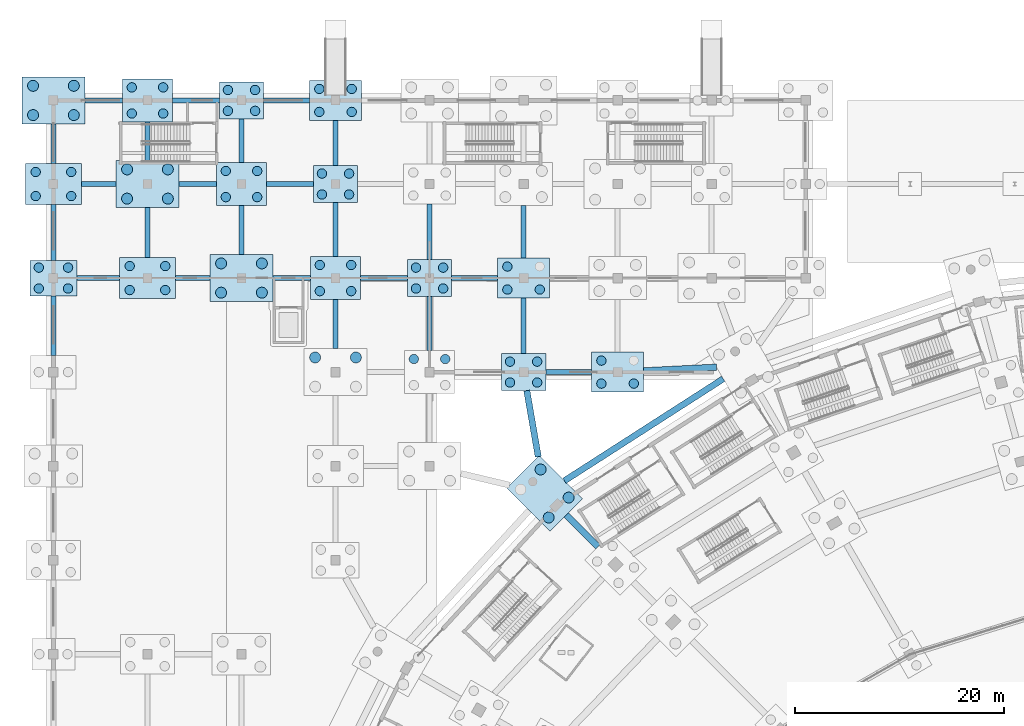
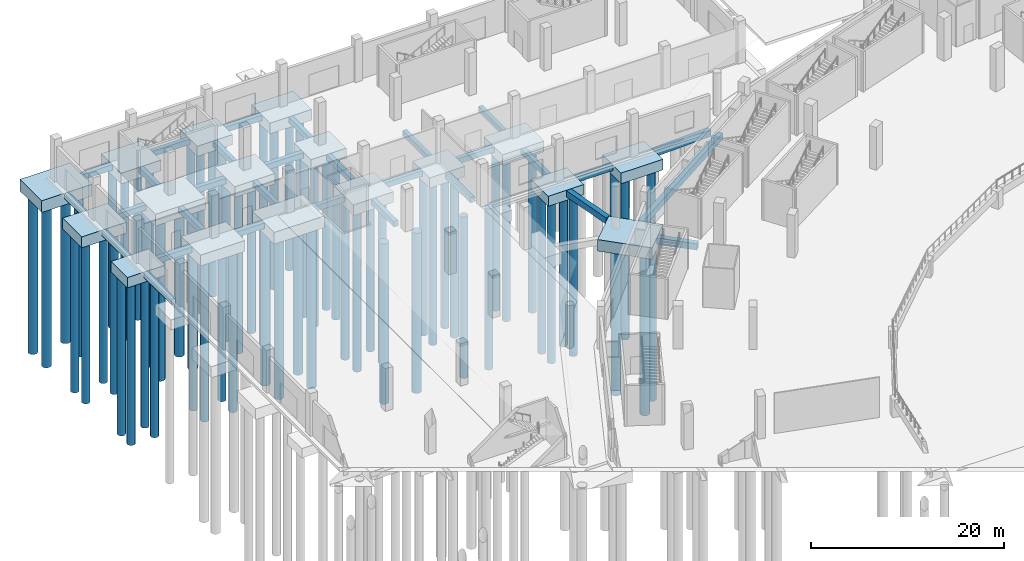
# One storey, part 10 of 103: 69 piles, 47 footings.
"""IFC4 building model written with IfcOpenShell, lengths in metres."""

from ifc_helpers import new_model, si_unit, direction, frame, origin, origin_2d, place, context, subcontext, project, spatial, rectangle, circle, extrude, material, material_profile, profile_set, type_object, element, save


model = new_model("IFC4")

# Units and contexts
model_context = context("Model", 3, precision=1e-05, world=origin(), true_north=direction((0.0, 1.0)))
body_context = subcontext(model_context, "Body", "Model", "MODEL_VIEW")
ifc_project = project(units=[si_unit("LENGTHUNIT", "METRE"), si_unit("AREAUNIT", "SQUARE_METRE"), si_unit("VOLUMEUNIT", "CUBIC_METRE"), si_unit("PLANEANGLEUNIT", "RADIAN"), si_unit("MASSUNIT", "GRAM", prefix="KILO")], contexts=[model_context])

# Site, building, storey
site_placement = place(None, origin())
site = spatial("IfcSite", under=ifc_project, at=site_placement, CompositionType="ELEMENT")
building_placement = place(site_placement, origin())
building = spatial("IfcBuilding", under=site, at=building_placement, Name="Zevraka Park Crest Stadium", CompositionType="ELEMENT")
storey_placement = place(building_placement, origin())
storey = spatial("IfcBuildingStorey", under=building, at=storey_placement, Name="L00", CompositionType="ELEMENT", Elevation=0.0)

# Footings
ifc_material_1 = material(Name="Concrete C35/45", Category="concrete")
ifc_material_profile_1 = material_profile(ifc_material_1, rectangle(XDim=0.60009765625, YDim=0.800048828125, at=origin_2d()), Name="GB 800x600")
ifc_profile_set_1 = profile_set([ifc_material_profile_1], Name="Concrete C35/45")
footing_type_1 = type_object("IfcFootingType", Name="GB01", PredefinedType="FOOTING_BEAM", material=ifc_profile_set_1)
footing_1_placement = place(storey_placement, frame((64.112060546875, 157.35400390625, -0.75), z_axis=(-0.841465111378, -0.540311453084, 0.0), x_axis=(0.540311453084, -0.841465111378, 0.0)))
element("IfcFooting", 1, at=footing_1_placement, inside=storey, type_object=footing_type_1, Name="Ground Tie Beam GB01 CIR-DE-08", PredefinedType="FOOTING_BEAM", context=body_context, shape_type="SweptSolid", body=[
    extrude(rectangle(XDim=0.60009765625, YDim=0.800048828125, at=origin_2d()), origin(), (0.0, 0.0, 1.0), 18.063720703125),
])
footing_2_placement = place(storey_placement, frame((52.1259765625, 141.26806640625, -0.75), z_axis=(-0.707106781187, 0.707106781187, 0.0), x_axis=(-0.707106781187, -0.707106781187, 0.0)))
element("IfcFooting", 2, at=footing_2_placement, inside=storey, type_object=footing_type_1, Name="Ground Tie Beam GB01 RAD-CDE-09", PredefinedType="FOOTING_BEAM", context=body_context, shape_type="SweptSolid", body=[
    extrude(rectangle(XDim=0.60009765625, YDim=0.800048828125, at=origin_2d()), origin(), (0.0, 0.0, 1.0), 4.300537109375),
])
footing_3_placement = place(storey_placement, frame((45.30810546875, 156.22509765625, -0.75), z_axis=(0.170928546979, -0.985283427156, 0.0), x_axis=(0.985283427156, 0.170928546979, 0.0)))
element("IfcFooting", 3, at=footing_3_placement, inside=storey, type_object=footing_type_1, Name="Ground Tie Beam GB01 WTIE-6-T", PredefinedType="FOOTING_BEAM", context=body_context, shape_type="SweptSolid", body=[
    extrude(rectangle(XDim=0.60009765625, YDim=0.800048828125, at=origin_2d()), origin(), (0.0, 0.0, 1.0), 6.41748046875),
])
footing_4_placement = place(storey_placement, frame((56.5, 158.1240234375, -0.75), z_axis=(0.998769818005, 0.049586799065, 0.0), x_axis=(-0.049586799065, 0.998769818005, 0.0)))
element("IfcFooting", 4, at=footing_4_placement, inside=storey, type_object=footing_type_1, Name="Ground Tie Beam GB01 WTIE-7-T", PredefinedType="FOOTING_BEAM", context=body_context, shape_type="SweptSolid", body=[
    extrude(rectangle(XDim=0.60009765625, YDim=0.800048828125, at=origin_2d()), origin(), (0.0, 0.0, 1.0), 6.9765625),
])
ifc_material_2 = material(Name="Concrete C35/45", Category="concrete")
ifc_material_profile_2 = material_profile(ifc_material_2, rectangle(XDim=0.5, YDim=0.699951171875, at=origin_2d()), Name="GB 700x500")
ifc_profile_set_2 = profile_set([ifc_material_profile_2], Name="Concrete C35/45")
footing_type_2 = type_object("IfcFootingType", Name="GB02", PredefinedType="FOOTING_BEAM", material=ifc_profile_set_2)
footing_5_placement = place(storey_placement, frame((0.0, 159.60009765625, -0.699951171875), z_axis=(0.0, 1.0, 0.0), x_axis=(-1.0, 0.0, 0.0)))
element("IfcFooting", 5, at=footing_5_placement, inside=storey, type_object=footing_type_2, Name="Ground Tie Beam GB02 WY-1-T", PredefinedType="FOOTING_BEAM", context=body_context, shape_type="SweptSolid", body=[
    extrude(rectangle(XDim=0.5, YDim=0.699951171875, at=origin_2d()), origin(), (0.0, 0.0, 1.0), 5.699951171875),
])
footing_6_placement = place(storey_placement, frame((2.25, 167.0, -0.699951171875), z_axis=(1.0, 0.0, 0.0), x_axis=(0.0, 1.0, 0.0)))
element("IfcFooting", 6, at=footing_6_placement, inside=storey, type_object=footing_type_2, Name="Ground Tie Beam GB02 WX-1-U", PredefinedType="FOOTING_BEAM", context=body_context, shape_type="SweptSolid", body=[
    extrude(rectangle(XDim=0.5, YDim=0.699951171875, at=origin_2d()), origin(), (0.0, 0.0, 1.0), 4.074951171875),
])
footing_7_placement = place(storey_placement, frame((0.0, 168.699951171875, -0.699951171875), z_axis=(0.0, 1.0, 0.0), x_axis=(-1.0, 0.0, 0.0)))
element("IfcFooting", 7, at=footing_7_placement, inside=storey, type_object=footing_type_2, Name="Ground Tie Beam GB02 WY-1-U", PredefinedType="FOOTING_BEAM", context=body_context, shape_type="SweptSolid", body=[
    extrude(rectangle(XDim=0.5, YDim=0.699951171875, at=origin_2d()), origin(), (0.0, 0.0, 1.0), 5.324951171875),
])
footing_8_placement = place(storey_placement, frame((2.675048828125, 176.0, -0.699951171875), z_axis=(1.0, 0.0, 0.0), x_axis=(0.0, 1.0, 0.0)))
element("IfcFooting", 8, at=footing_8_placement, inside=storey, type_object=footing_type_2, Name="Ground Tie Beam GB02 WX-1-V", PredefinedType="FOOTING_BEAM", context=body_context, shape_type="SweptSolid", body=[
    extrude(rectangle(XDim=0.5, YDim=0.699951171875, at=origin_2d()), origin(), (0.0, 0.0, 1.0), 3.324951171875),
])
footing_9_placement = place(storey_placement, frame((0.0, 177.97509765625, -0.699951171875), z_axis=(0.0, 1.0, 0.0), x_axis=(-1.0, 0.0, 0.0)))
element("IfcFooting", 9, at=footing_9_placement, inside=storey, type_object=footing_type_2, Name="Ground Tie Beam GB02 WY-1-V", PredefinedType="FOOTING_BEAM", context=body_context, shape_type="SweptSolid", body=[
    extrude(rectangle(XDim=0.5, YDim=0.699951171875, at=origin_2d()), origin(), (0.0, 0.0, 1.0), 3.77490234375),
])
footing_10_placement = place(storey_placement, frame((3.0, 184.0, -0.699951171875), z_axis=(1.0, 0.0, 0.0), x_axis=(0.0, 1.0, 0.0)))
element("IfcFooting", 10, at=footing_10_placement, inside=storey, type_object=footing_type_2, Name="Ground Tie Beam GB02 WX-1-W", PredefinedType="FOOTING_BEAM", context=body_context, shape_type="SweptSolid", body=[
    extrude(rectangle(XDim=0.5, YDim=0.699951171875, at=origin_2d()), origin(), (0.0, 0.0, 1.0), 3.60009765625),
])
footing_11_placement = place(storey_placement, frame((11.675048828125, 167.0, -0.699951171875), z_axis=(1.0, 0.0, 0.0), x_axis=(0.0, 1.0, 0.0)))
element("IfcFooting", 11, at=footing_11_placement, inside=storey, type_object=footing_type_2, Name="Ground Tie Beam GB02 WX-2-U", PredefinedType="FOOTING_BEAM", context=body_context, shape_type="SweptSolid", body=[
    extrude(rectangle(XDim=0.5, YDim=0.699951171875, at=origin_2d()), origin(), (0.0, 0.0, 1.0), 3.324951171875),
])
footing_12_placement = place(storey_placement, frame((9.0, 168.97509765625, -0.699951171875), z_axis=(0.0, 1.0, 0.0), x_axis=(-1.0, 0.0, 0.0)))
element("IfcFooting", 12, at=footing_12_placement, inside=storey, type_object=footing_type_2, Name="Ground Tie Beam GB02 WY-2-U", PredefinedType="FOOTING_BEAM", context=body_context, shape_type="SweptSolid", body=[
    extrude(rectangle(XDim=0.5, YDim=0.699951171875, at=origin_2d()), origin(), (0.0, 0.0, 1.0), 4.77490234375),
])
footing_13_placement = place(storey_placement, frame((12.0, 176.0, -0.699951171875), z_axis=(1.0, 0.0, 0.0), x_axis=(0.0, 1.0, 0.0)))
element("IfcFooting", 13, at=footing_13_placement, inside=storey, type_object=footing_type_2, Name="Ground Tie Beam GB02 WX-2-V", PredefinedType="FOOTING_BEAM", context=body_context, shape_type="SweptSolid", body=[
    extrude(rectangle(XDim=0.5, YDim=0.699951171875, at=origin_2d()), origin(), (0.0, 0.0, 1.0), 3.60009765625),
])
footing_14_placement = place(storey_placement, frame((9.0, 178.25, -0.699951171875), z_axis=(0.0, 1.0, 0.0), x_axis=(-1.0, 0.0, 0.0)))
element("IfcFooting", 14, at=footing_14_placement, inside=storey, type_object=footing_type_2, Name="Ground Tie Beam GB02 WY-2-V", PredefinedType="FOOTING_BEAM", context=body_context, shape_type="SweptSolid", body=[
    extrude(rectangle(XDim=0.5, YDim=0.699951171875, at=origin_2d()), origin(), (0.0, 0.0, 1.0), 3.699951171875),
])
footing_15_placement = place(storey_placement, frame((11.39990234375, 184.0, -0.699951171875), z_axis=(1.0, 0.0, 0.0), x_axis=(0.0, 1.0, 0.0)))
element("IfcFooting", 15, at=footing_15_placement, inside=storey, type_object=footing_type_2, Name="Ground Tie Beam GB02 WX-2-W", PredefinedType="FOOTING_BEAM", context=body_context, shape_type="SweptSolid", body=[
    extrude(rectangle(XDim=0.5, YDim=0.699951171875, at=origin_2d()), origin(), (0.0, 0.0, 1.0), 4.47509765625),
])
footing_16_placement = place(storey_placement, frame((21.0, 167.0, -0.699951171875), z_axis=(1.0, 0.0, 0.0), x_axis=(0.0, 1.0, 0.0)))
element("IfcFooting", 16, at=footing_16_placement, inside=storey, type_object=footing_type_2, Name="Ground Tie Beam GB02 WX-3-U", PredefinedType="FOOTING_BEAM", context=body_context, shape_type="SweptSolid", body=[
    extrude(rectangle(XDim=0.5, YDim=0.699951171875, at=origin_2d()), origin(), (0.0, 0.0, 1.0), 3.60009765625),
])
footing_17_placement = place(storey_placement, frame((18.0, 169.25, -0.699951171875), z_axis=(0.0, 1.0, 0.0), x_axis=(-1.0, 0.0, 0.0)))
element("IfcFooting", 17, at=footing_17_placement, inside=storey, type_object=footing_type_2, Name="Ground Tie Beam GB02 WY-3-U", PredefinedType="FOOTING_BEAM", context=body_context, shape_type="SweptSolid", body=[
    extrude(rectangle(XDim=0.5, YDim=0.699951171875, at=origin_2d()), origin(), (0.0, 0.0, 1.0), 4.699951171875),
])
footing_18_placement = place(storey_placement, frame((20.39990234375, 176.0, -0.699951171875), z_axis=(1.0, 0.0, 0.0), x_axis=(0.0, 1.0, 0.0)))
element("IfcFooting", 18, at=footing_18_placement, inside=storey, type_object=footing_type_2, Name="Ground Tie Beam GB02 WX-3-V", PredefinedType="FOOTING_BEAM", context=body_context, shape_type="SweptSolid", body=[
    extrude(rectangle(XDim=0.5, YDim=0.699951171875, at=origin_2d()), origin(), (0.0, 0.0, 1.0), 4.47509765625),
])
footing_19_placement = place(storey_placement, frame((18.0, 178.050048828125, -0.699951171875), z_axis=(0.0, 1.0, 0.0), x_axis=(-1.0, 0.0, 0.0)))
element("IfcFooting", 19, at=footing_19_placement, inside=storey, type_object=footing_type_2, Name="Ground Tie Beam GB02 WY-3-V", PredefinedType="FOOTING_BEAM", context=body_context, shape_type="SweptSolid", body=[
    extrude(rectangle(XDim=0.5, YDim=0.699951171875, at=origin_2d()), origin(), (0.0, 0.0, 1.0), 4.175048828125),
])
footing_20_placement = place(storey_placement, frame((20.125, 184.0, -0.699951171875), z_axis=(1.0, 0.0, 0.0), x_axis=(0.0, 1.0, 0.0)))
element("IfcFooting", 20, at=footing_20_placement, inside=storey, type_object=footing_type_2, Name="Ground Tie Beam GB02 WX-3-W", PredefinedType="FOOTING_BEAM", context=body_context, shape_type="SweptSolid", body=[
    extrude(rectangle(XDim=0.5, YDim=0.699951171875, at=origin_2d()), origin(), (0.0, 0.0, 1.0), 4.375),
])
footing_21_placement = place(storey_placement, frame((27.0, 160.25, -0.699951171875), z_axis=(0.0, 1.0, 0.0), x_axis=(-1.0, 0.0, 0.0)))
element("IfcFooting", 21, at=footing_21_placement, inside=storey, type_object=footing_type_2, Name="Ground Tie Beam GB02 WY-4-T", PredefinedType="FOOTING_BEAM", context=body_context, shape_type="SweptSolid", body=[
    extrude(rectangle(XDim=0.5, YDim=0.699951171875, at=origin_2d()), origin(), (0.0, 0.0, 1.0), 4.699951171875),
])
footing_22_placement = place(storey_placement, frame((29.39990234375, 167.0, -0.699951171875), z_axis=(1.0, 0.0, 0.0), x_axis=(0.0, 1.0, 0.0)))
element("IfcFooting", 22, at=footing_22_placement, inside=storey, type_object=footing_type_2, Name="Ground Tie Beam GB02 WX-4-U", PredefinedType="FOOTING_BEAM", context=body_context, shape_type="SweptSolid", body=[
    extrude(rectangle(XDim=0.5, YDim=0.699951171875, at=origin_2d()), origin(), (0.0, 0.0, 1.0), 4.47509765625),
])
footing_23_placement = place(storey_placement, frame((27.0, 169.050048828125, -0.699951171875), z_axis=(0.0, 1.0, 0.0), x_axis=(-1.0, 0.0, 0.0)))
element("IfcFooting", 23, at=footing_23_placement, inside=storey, type_object=footing_type_2, Name="Ground Tie Beam GB02 WY-4-U", PredefinedType="FOOTING_BEAM", context=body_context, shape_type="SweptSolid", body=[
    extrude(rectangle(XDim=0.5, YDim=0.699951171875, at=origin_2d()), origin(), (0.0, 0.0, 1.0), 5.175048828125),
])
footing_24_placement = place(storey_placement, frame((27.0, 177.77490234375, -0.699951171875), z_axis=(0.0, 1.0, 0.0), x_axis=(-1.0, 0.0, 0.0)))
element("IfcFooting", 24, at=footing_24_placement, inside=storey, type_object=footing_type_2, Name="Ground Tie Beam GB02 WY-4-V", PredefinedType="FOOTING_BEAM", context=body_context, shape_type="SweptSolid", body=[
    extrude(rectangle(XDim=0.5, YDim=0.699951171875, at=origin_2d()), origin(), (0.0, 0.0, 1.0), 4.300048828125),
])
footing_25_placement = place(storey_placement, frame((36.0, 160.050048828125, -0.699951171875), z_axis=(0.0, 1.0, 0.0), x_axis=(-1.0, 0.0, 0.0)))
element("IfcFooting", 25, at=footing_25_placement, inside=storey, type_object=footing_type_2, Name="Ground Tie Beam GB02 WY-5-T", PredefinedType="FOOTING_BEAM", context=body_context, shape_type="SweptSolid", body=[
    extrude(rectangle(XDim=0.5, YDim=0.699951171875, at=origin_2d()), origin(), (0.0, 0.0, 1.0), 5.175048828125),
])
footing_26_placement = place(storey_placement, frame((38.125, 167.0, -0.699951171875), z_axis=(1.0, 0.0, 0.0), x_axis=(0.0, 1.0, 0.0)))
element("IfcFooting", 26, at=footing_26_placement, inside=storey, type_object=footing_type_2, Name="Ground Tie Beam GB02 WX-5-U", PredefinedType="FOOTING_BEAM", context=body_context, shape_type="SweptSolid", body=[
    extrude(rectangle(XDim=0.5, YDim=0.699951171875, at=origin_2d()), origin(), (0.0, 0.0, 1.0), 4.375),
])
footing_27_placement = place(storey_placement, frame((36.0, 168.77490234375, -0.699951171875), z_axis=(0.0, 1.0, 0.0), x_axis=(-1.0, 0.0, 0.0)))
element("IfcFooting", 27, at=footing_27_placement, inside=storey, type_object=footing_type_2, Name="Ground Tie Beam GB02 WY-5-U", PredefinedType="FOOTING_BEAM", context=body_context, shape_type="SweptSolid", body=[
    extrude(rectangle(XDim=0.5, YDim=0.699951171875, at=origin_2d()), origin(), (0.0, 0.0, 1.0), 5.300048828125),
])
footing_28_placement = place(storey_placement, frame((47.125, 158.0, -0.699951171875), z_axis=(1.0, 0.0, 0.0), x_axis=(0.0, 1.0, 0.0)))
element("IfcFooting", 28, at=footing_28_placement, inside=storey, type_object=footing_type_2, Name="Ground Tie Beam GB02 WX-6-T", PredefinedType="FOOTING_BEAM", context=body_context, shape_type="SweptSolid", body=[
    extrude(rectangle(XDim=0.5, YDim=0.699951171875, at=origin_2d()), origin(), (0.0, 0.0, 1.0), 4.375),
])
footing_29_placement = place(storey_placement, frame((45.0, 159.77490234375, -0.699951171875), z_axis=(0.0, 1.0, 0.0), x_axis=(-1.0, 0.0, 0.0)))
element("IfcFooting", 29, at=footing_29_placement, inside=storey, type_object=footing_type_2, Name="Ground Tie Beam GB02 WY-6-T", PredefinedType="FOOTING_BEAM", context=body_context, shape_type="SweptSolid", body=[
    extrude(rectangle(XDim=0.5, YDim=0.699951171875, at=origin_2d()), origin(), (0.0, 0.0, 1.0), 5.300048828125),
])
footing_30_placement = place(storey_placement, frame((45.0, 168.925048828125, -0.699951171875), z_axis=(0.0, 1.0, 0.0), x_axis=(-1.0, 0.0, 0.0)))
element("IfcFooting", 30, at=footing_30_placement, inside=storey, type_object=footing_type_2, Name="Ground Tie Beam GB02 WY-6-U", PredefinedType="FOOTING_BEAM", context=body_context, shape_type="SweptSolid", body=[
    extrude(rectangle(XDim=0.5, YDim=0.699951171875, at=origin_2d()), origin(), (0.0, 0.0, 1.0), 5.0),
])
ifc_material_3 = material(Name="Concrete C35/45", Category="concrete")
footing_type_3 = type_object("IfcFootingType", Name="PC15", PredefinedType="PILE_CAP", material=ifc_material_3)
footing_31_placement = place(storey_placement, frame((47.01708984375, 146.376953125, -1.7998046875), z_axis=(0.0, 0.0, 1.0), x_axis=(-0.707106781187, 0.707106781187, 0.0)))
element("IfcFooting", 31, at=footing_31_placement, inside=storey, type_object=footing_type_3, Name="Foundation PC15 DE-09", PredefinedType="PILE_CAP", context=body_context, shape_type="SweptSolid", body=[
    extrude(rectangle(XDim=5.85009765625, YDim=4.39990234375, at=origin_2d()), origin(), (0.0, 0.0, 1.0), 1.449951171875),
])
ifc_material_4 = material(Name="Concrete C35/45", Category="concrete")
footing_type_4 = type_object("IfcFootingType", Name="PC17", PredefinedType="PILE_CAP", material=ifc_material_4)
footing_32_placement = place(storey_placement, frame((0.0, 167.0, -1.64990234375), z_axis=(0.0, 0.0, 1.0), x_axis=(1.0, 0.0, 0.0)))
element("IfcFooting", 32, at=footing_32_placement, inside=storey, type_object=footing_type_4, Name="Foundation PC17 W-1-U", PredefinedType="PILE_CAP", context=body_context, shape_type="SweptSolid", body=[
    extrude(rectangle(XDim=4.5, YDim=3.39990234375, at=origin_2d()), origin(), (0.0, 0.0, 1.0), 1.300048828125),
])
ifc_material_5 = material(Name="Concrete C35/45", Category="concrete")
footing_type_5 = type_object("IfcFootingType", Name="PC18", PredefinedType="PILE_CAP", material=ifc_material_5)
for number, where, z_axis, x_axis, name in (
    (33, (0.0, 176.0, -1.72998046875), (0.0, 0.0, 1.0), (1.0, 0.0, 0.0), "Foundation PC18 W-1-V"),
    (34, (9.0, 167.0, -1.72998046875), (0.0, 0.0, 1.0), (1.0, 0.0, 0.0), "Foundation PC18 W-2-U"),
):
    element("IfcFooting", number, at=place(storey_placement, frame(where, z_axis=z_axis, x_axis=x_axis)), inside=storey, type_object=footing_type_5, Name=name, PredefinedType="PILE_CAP", context=body_context, shape_type="SweptSolid", body=[
        extrude(rectangle(XDim=5.35009765625, YDim=3.949951171875, at=origin_2d()), origin(), (0.0, 0.0, 1.0), 1.3798828125),
    ])
ifc_material_6 = material(Name="Concrete C35/45", Category="concrete")
footing_type_6 = type_object("IfcFootingType", Name="PC19", PredefinedType="PILE_CAP", material=ifc_material_6)
for number, where, z_axis, x_axis, name in (
    (35, (0.0, 184.0, -1.830078125), (0.0, 0.0, 1.0), (1.0, 0.0, 0.0), "Foundation PC19 W-1-W"),
    (36, (9.0, 176.0, -1.830078125), (0.0, 0.0, 1.0), (1.0, 0.0, 0.0), "Foundation PC19 W-2-V"),
    (37, (18.0, 167.0, -1.830078125), (0.0, 0.0, 1.0), (1.0, 0.0, 0.0), "Foundation PC19 W-3-U"),
):
    element("IfcFooting", number, at=place(storey_placement, frame(where, z_axis=z_axis, x_axis=x_axis)), inside=storey, type_object=footing_type_6, Name=name, PredefinedType="PILE_CAP", context=body_context, shape_type="SweptSolid", body=[
        extrude(rectangle(XDim=6.0, YDim=4.5, at=origin_2d()), origin(), (0.0, 0.0, 1.0), 1.47998046875),
    ])
ifc_material_7 = material(Name="Concrete C35/45", Category="concrete")
footing_type_7 = type_object("IfcFootingType", Name="PC20", PredefinedType="PILE_CAP", material=ifc_material_7)
for number, where, z_axis, x_axis, name in (
    (38, (9.0, 184.0, -1.699951171875), (0.0, 0.0, 1.0), (1.0, 0.0, 0.0), "Foundation PC20 W-2-W"),
    (39, (18.0, 176.0, -1.699951171875), (0.0, 0.0, 1.0), (1.0, 0.0, 0.0), "Foundation PC20 W-3-V"),
    (40, (27.0, 167.0, -1.699951171875), (0.0, 0.0, 1.0), (1.0, 0.0, 0.0), "Foundation PC20 W-4-U"),
):
    element("IfcFooting", number, at=place(storey_placement, frame(where, z_axis=z_axis, x_axis=x_axis)), inside=storey, type_object=footing_type_7, Name=name, PredefinedType="PILE_CAP", context=body_context, shape_type="SweptSolid", body=[
        extrude(rectangle(XDim=4.800048828125, YDim=4.10009765625, at=origin_2d()), origin(), (0.0, 0.0, 1.0), 1.35009765625),
    ])
ifc_material_8 = material(Name="Concrete C35/45", Category="concrete")
footing_type_8 = type_object("IfcFootingType", Name="PC21", PredefinedType="PILE_CAP", material=ifc_material_8)
for number, where, z_axis, x_axis, name in (
    (41, (18.0, 184.0, -1.6298828125), (0.0, 0.0, 1.0), (1.0, 0.0, 0.0), "Foundation PC21 W-3-W"),
    (42, (27.0, 176.0, -1.6298828125), (0.0, 0.0, 1.0), (1.0, 0.0, 0.0), "Foundation PC21 W-4-V"),
    (43, (36.0, 167.0, -1.6298828125), (0.0, 0.0, 1.0), (1.0, 0.0, 0.0), "Foundation PC21 W-5-U"),
    (44, (45.0, 158.0, -1.6298828125), (0.0, 0.0, 1.0), (1.0, 0.0, 0.0), "Foundation PC21 W-6-T"),
):
    element("IfcFooting", number, at=place(storey_placement, frame(where, z_axis=z_axis, x_axis=x_axis)), inside=storey, type_object=footing_type_8, Name=name, PredefinedType="PILE_CAP", context=body_context, shape_type="SweptSolid", body=[
        extrude(rectangle(XDim=4.25, YDim=3.550048828125, at=origin_2d()), origin(), (0.0, 0.0, 1.0), 1.280029296875),
    ])
ifc_material_9 = material(Name="Concrete C35/45", Category="concrete")
footing_type_9 = type_object("IfcFootingType", Name="PC22", PredefinedType="PILE_CAP", material=ifc_material_9)
for number, where, z_axis, x_axis, name in (
    (45, (27.0, 184.0, -1.7099609375), (0.0, 0.0, 1.0), (1.0, 0.0, 0.0), "Foundation PC22 W-4-W"),
    (46, (45.0, 167.0, -1.7099609375), (0.0, 0.0, 1.0), (1.0, 0.0, 0.0), "Foundation PC22 W-6-U"),
    (47, (54.0, 158.0, -1.7099609375), (0.0, 0.0, 1.0), (1.0, 0.0, 0.0), "Foundation PC22 W-7-T"),
):
    element("IfcFooting", number, at=place(storey_placement, frame(where, z_axis=z_axis, x_axis=x_axis)), inside=storey, type_object=footing_type_9, Name=name, PredefinedType="PILE_CAP", context=body_context, shape_type="SweptSolid", body=[
        extrude(rectangle(XDim=5.0, YDim=3.85009765625, at=origin_2d()), origin(), (0.0, 0.0, 1.0), 1.360107421875),
    ])

# Piles
ifc_material_10 = material(Name="Concrete C35/45", Category="concrete")
ifc_material_profile_3 = material_profile(ifc_material_10, circle(Radius=0.449951171875, at=origin_2d()), Name="PILE D900")
ifc_profile_set_3 = profile_set([ifc_material_profile_3], Name="Concrete C35/45")
pile_type_1 = type_object("IfcPileType", Name="PL01", PredefinedType="BORED", material=ifc_profile_set_3)
for number, where, z_axis, x_axis, name in (
    (48, (-1.39990234375, 166.0, -1.550048828125), (0.0, 0.0, -1.0), (1.0, 0.0, 0.0), "Bored Pile PL01 W-1-U-1"),
    (49, (1.39990234375, 166.0, -1.550048828125), (0.0, 0.0, -1.0), (1.0, 0.0, 0.0), "Bored Pile PL01 W-1-U-2"),
    (50, (-1.39990234375, 168.0, -1.550048828125), (0.0, 0.0, -1.0), (1.0, 0.0, 0.0), "Bored Pile PL01 W-1-U-3"),
    (51, (1.39990234375, 168.0, -1.550048828125), (0.0, 0.0, -1.0), (1.0, 0.0, 0.0), "Bored Pile PL01 W-1-U-4"),
):
    element("IfcPile", number, at=place(storey_placement, frame(where, z_axis=z_axis, x_axis=x_axis)), inside=storey, type_object=pile_type_1, Name=name, PredefinedType="BORED", context=body_context, shape_type="SweptSolid", body=[
        extrude(circle(Radius=0.449951171875, at=origin_2d()), origin(), (0.0, 0.0, 1.0), 20.449951171875),
    ])
for number, where, z_axis, x_axis, name in (
    (52, (-1.699951171875, 174.85009765625, -1.6298828125), (0.0, 0.0, -1.0), (1.0, 0.0, 0.0), "Bored Pile PL01 W-1-V-1"),
    (53, (1.699951171875, 174.85009765625, -1.6298828125), (0.0, 0.0, -1.0), (1.0, 0.0, 0.0), "Bored Pile PL01 W-1-V-2"),
    (54, (-1.699951171875, 177.14990234375, -1.6298828125), (0.0, 0.0, -1.0), (1.0, 0.0, 0.0), "Bored Pile PL01 W-1-V-3"),
    (55, (1.699951171875, 177.14990234375, -1.6298828125), (0.0, 0.0, -1.0), (1.0, 0.0, 0.0), "Bored Pile PL01 W-1-V-4"),
    (56, (7.300048828125, 165.85009765625, -1.6298828125), (0.0, 0.0, -1.0), (1.0, 0.0, 0.0), "Bored Pile PL01 W-2-U-1"),
    (57, (10.699951171875, 165.85009765625, -1.6298828125), (0.0, 0.0, -1.0), (1.0, 0.0, 0.0), "Bored Pile PL01 W-2-U-2"),
    (58, (7.300048828125, 168.14990234375, -1.6298828125), (0.0, 0.0, -1.0), (1.0, 0.0, 0.0), "Bored Pile PL01 W-2-U-3"),
    (59, (10.699951171875, 168.14990234375, -1.6298828125), (0.0, 0.0, -1.0), (1.0, 0.0, 0.0), "Bored Pile PL01 W-2-U-4"),
):
    element("IfcPile", number, at=place(storey_placement, frame(where, z_axis=z_axis, x_axis=x_axis)), inside=storey, type_object=pile_type_1, Name=name, PredefinedType="BORED", context=body_context, shape_type="SweptSolid", body=[
        extrude(circle(Radius=0.449951171875, at=origin_2d()), origin(), (0.0, 0.0, 1.0), 20.3701171875),
    ])
for number, where, z_axis, x_axis, name in (
    (60, (7.5, 182.75, -1.60009765625), (0.0, 0.0, -1.0), (1.0, 0.0, 0.0), "Bored Pile PL01 W-2-W-1"),
    (61, (10.5, 182.75, -1.60009765625), (0.0, 0.0, -1.0), (1.0, 0.0, 0.0), "Bored Pile PL01 W-2-W-2"),
    (62, (7.5, 185.25, -1.60009765625), (0.0, 0.0, -1.0), (1.0, 0.0, 0.0), "Bored Pile PL01 W-2-W-3"),
    (63, (10.5, 185.25, -1.60009765625), (0.0, 0.0, -1.0), (1.0, 0.0, 0.0), "Bored Pile PL01 W-2-W-4"),
    (64, (16.5, 174.75, -1.60009765625), (0.0, 0.0, -1.0), (1.0, 0.0, 0.0), "Bored Pile PL01 W-3-V-1"),
    (65, (19.5, 174.75, -1.60009765625), (0.0, 0.0, -1.0), (1.0, 0.0, 0.0), "Bored Pile PL01 W-3-V-2"),
    (66, (16.5, 177.25, -1.60009765625), (0.0, 0.0, -1.0), (1.0, 0.0, 0.0), "Bored Pile PL01 W-3-V-3"),
    (67, (19.5, 177.25, -1.60009765625), (0.0, 0.0, -1.0), (1.0, 0.0, 0.0), "Bored Pile PL01 W-3-V-4"),
):
    element("IfcPile", number, at=place(storey_placement, frame(where, z_axis=z_axis, x_axis=x_axis)), inside=storey, type_object=pile_type_1, Name=name, PredefinedType="BORED", context=body_context, shape_type="SweptSolid", body=[
        extrude(circle(Radius=0.449951171875, at=origin_2d()), origin(), (0.0, 0.0, 1.0), 20.39990234375),
    ])
for number, where, z_axis, x_axis, name in (
    (68, (16.699951171875, 183.0, -1.530029296875), (0.0, 0.0, -1.0), (1.0, 0.0, 0.0), "Bored Pile PL01 W-3-W-1"),
    (69, (19.300048828125, 183.0, -1.530029296875), (0.0, 0.0, -1.0), (1.0, 0.0, 0.0), "Bored Pile PL01 W-3-W-2"),
    (70, (16.699951171875, 185.0, -1.530029296875), (0.0, 0.0, -1.0), (1.0, 0.0, 0.0), "Bored Pile PL01 W-3-W-3"),
    (71, (19.300048828125, 185.0, -1.530029296875), (0.0, 0.0, -1.0), (1.0, 0.0, 0.0), "Bored Pile PL01 W-3-W-4"),
):
    element("IfcPile", number, at=place(storey_placement, frame(where, z_axis=z_axis, x_axis=x_axis)), inside=storey, type_object=pile_type_1, Name=name, PredefinedType="BORED", context=body_context, shape_type="SweptSolid", body=[
        extrude(circle(Radius=0.449951171875, at=origin_2d()), origin(), (0.0, 0.0, 1.0), 20.469970703125),
    ])
for number, where, z_axis, x_axis, name in (
    (72, (25.5, 165.75, -1.60009765625), (0.0, 0.0, -1.0), (1.0, 0.0, 0.0), "Bored Pile PL01 W-4-U-1"),
    (73, (28.5, 165.75, -1.60009765625), (0.0, 0.0, -1.0), (1.0, 0.0, 0.0), "Bored Pile PL01 W-4-U-2"),
    (74, (25.5, 168.25, -1.60009765625), (0.0, 0.0, -1.0), (1.0, 0.0, 0.0), "Bored Pile PL01 W-4-U-3"),
    (75, (28.5, 168.25, -1.60009765625), (0.0, 0.0, -1.0), (1.0, 0.0, 0.0), "Bored Pile PL01 W-4-U-4"),
):
    element("IfcPile", number, at=place(storey_placement, frame(where, z_axis=z_axis, x_axis=x_axis)), inside=storey, type_object=pile_type_1, Name=name, PredefinedType="BORED", context=body_context, shape_type="SweptSolid", body=[
        extrude(circle(Radius=0.449951171875, at=origin_2d()), origin(), (0.0, 0.0, 1.0), 20.39990234375),
    ])
for number, where, z_axis, x_axis, name in (
    (76, (25.699951171875, 175.0, -1.530029296875), (0.0, 0.0, -1.0), (1.0, 0.0, 0.0), "Bored Pile PL01 W-4-V-1"),
    (77, (28.300048828125, 175.0, -1.530029296875), (0.0, 0.0, -1.0), (1.0, 0.0, 0.0), "Bored Pile PL01 W-4-V-2"),
    (78, (25.699951171875, 177.0, -1.530029296875), (0.0, 0.0, -1.0), (1.0, 0.0, 0.0), "Bored Pile PL01 W-4-V-3"),
    (79, (28.300048828125, 177.0, -1.530029296875), (0.0, 0.0, -1.0), (1.0, 0.0, 0.0), "Bored Pile PL01 W-4-V-4"),
):
    element("IfcPile", number, at=place(storey_placement, frame(where, z_axis=z_axis, x_axis=x_axis)), inside=storey, type_object=pile_type_1, Name=name, PredefinedType="BORED", context=body_context, shape_type="SweptSolid", body=[
        extrude(circle(Radius=0.449951171875, at=origin_2d()), origin(), (0.0, 0.0, 1.0), 20.469970703125),
    ])
for number, where, z_axis, x_axis, name in (
    (80, (25.449951171875, 182.89990234375, -1.610107421875), (0.0, 0.0, -1.0), (1.0, 0.0, 0.0), "Bored Pile PL01 W-4-W-1"),
    (81, (28.550048828125, 182.89990234375, -1.610107421875), (0.0, 0.0, -1.0), (1.0, 0.0, 0.0), "Bored Pile PL01 W-4-W-2"),
    (82, (25.449951171875, 185.10009765625, -1.610107421875), (0.0, 0.0, -1.0), (1.0, 0.0, 0.0), "Bored Pile PL01 W-4-W-3"),
    (83, (28.550048828125, 185.10009765625, -1.610107421875), (0.0, 0.0, -1.0), (1.0, 0.0, 0.0), "Bored Pile PL01 W-4-W-4"),
):
    element("IfcPile", number, at=place(storey_placement, frame(where, z_axis=z_axis, x_axis=x_axis)), inside=storey, type_object=pile_type_1, Name=name, PredefinedType="BORED", context=body_context, shape_type="SweptSolid", body=[
        extrude(circle(Radius=0.449951171875, at=origin_2d()), origin(), (0.0, 0.0, 1.0), 20.389892578125),
    ])
for number, where, z_axis, x_axis, name in (
    (84, (34.5, 159.25, -1.60009765625), (0.0, 0.0, -1.0), (1.0, 0.0, 0.0), "Bored Pile PL01 W-5-T-3"),
    (85, (37.5, 159.25, -1.60009765625), (0.0, 0.0, -1.0), (1.0, 0.0, 0.0), "Bored Pile PL01 W-5-T-4"),
):
    element("IfcPile", number, at=place(storey_placement, frame(where, z_axis=z_axis, x_axis=x_axis)), inside=storey, type_object=pile_type_1, Name=name, PredefinedType="BORED", context=body_context, shape_type="SweptSolid", body=[
        extrude(circle(Radius=0.449951171875, at=origin_2d()), origin(), (0.0, 0.0, 1.0), 20.39990234375),
    ])
for number, where, z_axis, x_axis, name in (
    (86, (34.699951171875, 166.0, -1.530029296875), (0.0, 0.0, -1.0), (1.0, 0.0, 0.0), "Bored Pile PL01 W-5-U-1"),
    (87, (37.300048828125, 166.0, -1.530029296875), (0.0, 0.0, -1.0), (1.0, 0.0, 0.0), "Bored Pile PL01 W-5-U-2"),
    (88, (34.699951171875, 168.0, -1.530029296875), (0.0, 0.0, -1.0), (1.0, 0.0, 0.0), "Bored Pile PL01 W-5-U-3"),
    (89, (37.300048828125, 168.0, -1.530029296875), (0.0, 0.0, -1.0), (1.0, 0.0, 0.0), "Bored Pile PL01 W-5-U-4"),
    (90, (43.699951171875, 157.0, -1.530029296875), (0.0, 0.0, -1.0), (1.0, 0.0, 0.0), "Bored Pile PL01 W-6-T-1"),
    (91, (46.300048828125, 157.0, -1.530029296875), (0.0, 0.0, -1.0), (1.0, 0.0, 0.0), "Bored Pile PL01 W-6-T-2"),
    (92, (43.699951171875, 159.0, -1.530029296875), (0.0, 0.0, -1.0), (1.0, 0.0, 0.0), "Bored Pile PL01 W-6-T-3"),
    (93, (46.300048828125, 159.0, -1.530029296875), (0.0, 0.0, -1.0), (1.0, 0.0, 0.0), "Bored Pile PL01 W-6-T-4"),
):
    element("IfcPile", number, at=place(storey_placement, frame(where, z_axis=z_axis, x_axis=x_axis)), inside=storey, type_object=pile_type_1, Name=name, PredefinedType="BORED", context=body_context, shape_type="SweptSolid", body=[
        extrude(circle(Radius=0.449951171875, at=origin_2d()), origin(), (0.0, 0.0, 1.0), 20.469970703125),
    ])
for number, where, z_axis, x_axis, name in (
    (94, (43.449951171875, 165.89990234375, -1.610107421875), (0.0, 0.0, -1.0), (1.0, 0.0, 0.0), "Bored Pile PL01 W-6-U-1"),
    (95, (46.550048828125, 165.89990234375, -1.610107421875), (0.0, 0.0, -1.0), (1.0, 0.0, 0.0), "Bored Pile PL01 W-6-U-2"),
    (96, (43.449951171875, 168.10009765625, -1.610107421875), (0.0, 0.0, -1.0), (1.0, 0.0, 0.0), "Bored Pile PL01 W-6-U-3"),
    (97, (52.449951171875, 156.89990234375, -1.610107421875), (0.0, 0.0, -1.0), (1.0, 0.0, 0.0), "Bored Pile PL01 W-7-T-1"),
    (98, (55.550048828125, 156.89990234375, -1.610107421875), (0.0, 0.0, -1.0), (1.0, 0.0, 0.0), "Bored Pile PL01 W-7-T-2"),
    (99, (52.449951171875, 159.10009765625, -1.610107421875), (0.0, 0.0, -1.0), (1.0, 0.0, 0.0), "Bored Pile PL01 W-7-T-3"),
):
    element("IfcPile", number, at=place(storey_placement, frame(where, z_axis=z_axis, x_axis=x_axis)), inside=storey, type_object=pile_type_1, Name=name, PredefinedType="BORED", context=body_context, shape_type="SweptSolid", body=[
        extrude(circle(Radius=0.449951171875, at=origin_2d()), origin(), (0.0, 0.0, 1.0), 20.389892578125),
    ])
ifc_material_11 = material(Name="Concrete C35/45", Category="concrete")
ifc_material_profile_4 = material_profile(ifc_material_11, circle(Radius=0.52490234375, at=origin_2d()), Name="PILE D1050")
ifc_profile_set_4 = profile_set([ifc_material_profile_4], Name="Concrete C35/45")
pile_type_2 = type_object("IfcPileType", Name="PL02", PredefinedType="BORED", material=ifc_profile_set_4)
for number, where, z_axis, x_axis, name in (
    (100, (49.31494140625, 145.988037109375, -1.699951171875), (0.0, 0.0, -1.0), (1.0, 0.0, 0.0), "Bored Pile PL02 DE-09-1"),
    (101, (46.6279296875, 148.675048828125, -1.699951171875), (0.0, 0.0, -1.0), (1.0, 0.0, 0.0), "Bored Pile PL02 DE-09-2"),
    (102, (47.406005859375, 144.0791015625, -1.699951171875), (0.0, 0.0, -1.0), (1.0, 0.0, 0.0), "Bored Pile PL02 DE-09-3"),
):
    element("IfcPile", number, at=place(storey_placement, frame(where, z_axis=z_axis, x_axis=x_axis)), inside=storey, type_object=pile_type_2, Name=name, PredefinedType="BORED", context=body_context, shape_type="SweptSolid", body=[
        extrude(circle(Radius=0.52490234375, at=origin_2d()), origin(), (0.0, 0.0, 1.0), 20.300048828125),
    ])
for number, where, z_axis, x_axis, name in (
    (103, (-1.949951171875, 182.60009765625, -1.72998046875), (0.0, 0.0, -1.0), (1.0, 0.0, 0.0), "Bored Pile PL02 W-1-W-1"),
    (104, (1.949951171875, 182.60009765625, -1.72998046875), (0.0, 0.0, -1.0), (1.0, 0.0, 0.0), "Bored Pile PL02 W-1-W-2"),
    (105, (-1.949951171875, 185.39990234375, -1.72998046875), (0.0, 0.0, -1.0), (1.0, 0.0, 0.0), "Bored Pile PL02 W-1-W-3"),
    (106, (1.949951171875, 185.39990234375, -1.72998046875), (0.0, 0.0, -1.0), (1.0, 0.0, 0.0), "Bored Pile PL02 W-1-W-4"),
    (107, (7.050048828125, 174.60009765625, -1.72998046875), (0.0, 0.0, -1.0), (1.0, 0.0, 0.0), "Bored Pile PL02 W-2-V-1"),
    (108, (10.949951171875, 174.60009765625, -1.72998046875), (0.0, 0.0, -1.0), (1.0, 0.0, 0.0), "Bored Pile PL02 W-2-V-2"),
    (109, (7.050048828125, 177.39990234375, -1.72998046875), (0.0, 0.0, -1.0), (1.0, 0.0, 0.0), "Bored Pile PL02 W-2-V-3"),
    (110, (10.949951171875, 177.39990234375, -1.72998046875), (0.0, 0.0, -1.0), (1.0, 0.0, 0.0), "Bored Pile PL02 W-2-V-4"),
    (111, (16.050048828125, 165.60009765625, -1.72998046875), (0.0, 0.0, -1.0), (1.0, 0.0, 0.0), "Bored Pile PL02 W-3-U-1"),
    (112, (19.949951171875, 165.60009765625, -1.72998046875), (0.0, 0.0, -1.0), (1.0, 0.0, 0.0), "Bored Pile PL02 W-3-U-2"),
    (113, (16.050048828125, 168.39990234375, -1.72998046875), (0.0, 0.0, -1.0), (1.0, 0.0, 0.0), "Bored Pile PL02 W-3-U-3"),
    (114, (19.949951171875, 168.39990234375, -1.72998046875), (0.0, 0.0, -1.0), (1.0, 0.0, 0.0), "Bored Pile PL02 W-3-U-4"),
    (115, (25.050048828125, 159.39990234375, -1.72998046875), (0.0, 0.0, -1.0), (1.0, 0.0, 0.0), "Bored Pile PL02 W-4-T-3"),
    (116, (28.949951171875, 159.39990234375, -1.72998046875), (0.0, 0.0, -1.0), (1.0, 0.0, 0.0), "Bored Pile PL02 W-4-T-4"),
):
    element("IfcPile", number, at=place(storey_placement, frame(where, z_axis=z_axis, x_axis=x_axis)), inside=storey, type_object=pile_type_2, Name=name, PredefinedType="BORED", context=body_context, shape_type="SweptSolid", body=[
        extrude(circle(Radius=0.52490234375, at=origin_2d()), origin(), (0.0, 0.0, 1.0), 20.27001953125),
    ])

save(model, "model.ifc")
